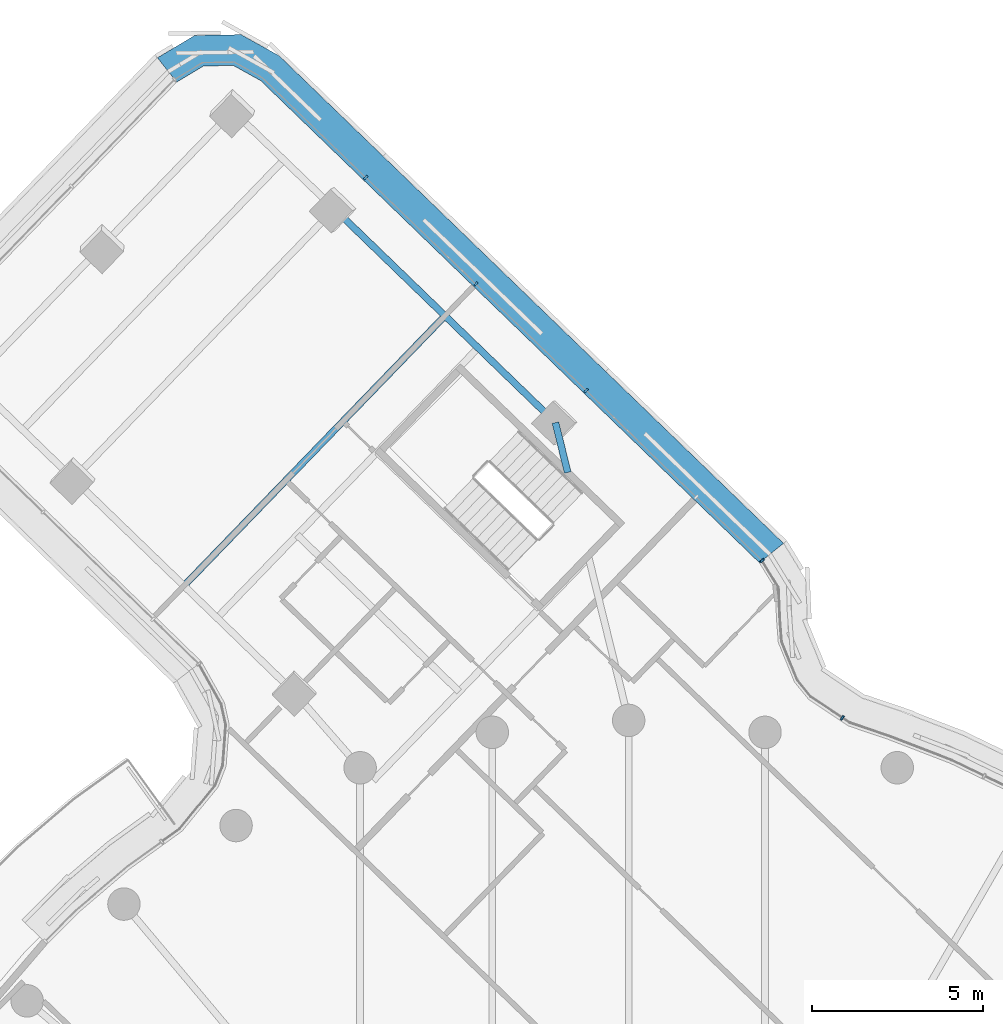
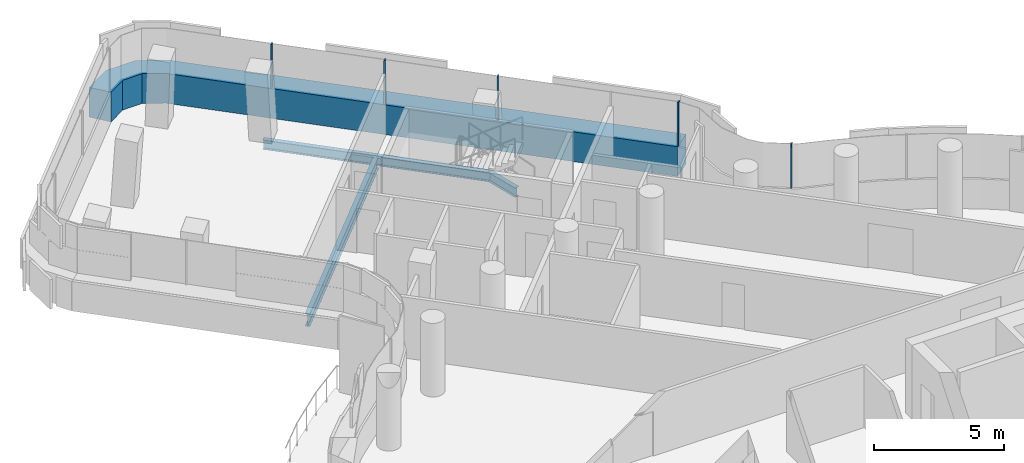
# One storey, part 16 of 31: 6 members, 3 beams, 2 elements without a shape of their own.
"""IFC4 building model written with IfcOpenShell, lengths in metres."""

from ifc_helpers import new_model, si_unit, direction, frame, origin, origin_2d, place, context, subcontext, project, spatial, polyline, rectangle, i_section, outline, extrude, material, layer, layer_set, material_profile, profile_set, type_object, element, aggregate, save


model = new_model("IFC4")

# Units and contexts
model_context = context("Model", 3, precision=1e-05, world=origin(), true_north=direction((0.0, 1.0)))
body_context = subcontext(model_context, "Body", "Model", "MODEL_VIEW")
ifc_project = project(units=[si_unit("LENGTHUNIT", "METRE"), si_unit("AREAUNIT", "SQUARE_METRE"), si_unit("VOLUMEUNIT", "CUBIC_METRE"), si_unit("PLANEANGLEUNIT", "RADIAN"), si_unit("MASSUNIT", "GRAM", prefix="KILO")], contexts=[model_context])

# Site, building, storey
site_placement = place(None, origin())
site = spatial("IfcSite", under=ifc_project, at=site_placement, CompositionType="ELEMENT")
building_placement = place(site_placement, origin())
building = spatial("IfcBuilding", under=site, at=building_placement, Name="Tamarind Cross Interchange Tower", CompositionType="ELEMENT")
storey_placement = place(building_placement, frame((0.0, 0.0, 200.5)))
storey = spatial("IfcBuildingStorey", under=building, at=storey_placement, Name="L50", CompositionType="ELEMENT", Elevation=200.5)

# Beams
ifc_material_1 = material(Name="Steel Q355B", Category="steel")
ifc_material_profile_1 = material_profile(ifc_material_1, i_section(OverallWidth=0.198974609375, OverallDepth=0.446044921875, WebThickness=0.008056640625, FlangeThickness=0.011962890625, FilletRadius=0.012939453125, at=origin_2d()), Name="HN 446x199x8x12")
ifc_profile_set_1 = profile_set([ifc_material_profile_1], Name="Steel Q355B")
beam_type_1 = type_object("IfcBeamType", Name="Composite beam HN 446x199x8x12 Q355B", PredefinedType="BEAM", material=ifc_profile_set_1)
beam_1_placement = place(storey_placement, frame((-8.615966796875, 37.978271484375, -0.363037109375), z_axis=(0.718995153813, -0.695015085299, 0.0), x_axis=(0.695015085299, 0.718995153813, 0.0)))
element("IfcBeam", 1, at=beam_1_placement, inside=storey, type_object=beam_type_1, Name="Beam N-edgeem6", PredefinedType="BEAM", context=body_context, shape_type="SweptSolid", body=[
    extrude(i_section(OverallWidth=0.198974609375, OverallDepth=0.446044921875, WebThickness=0.008056640625, FlangeThickness=0.011962890625, FilletRadius=0.012939453125, at=origin_2d()), origin(), (0.0, 0.0, 1.0), 9.0),
])
beam_2_placement = place(storey_placement, frame((-2.14501953125, 31.72314453125, -0.363037109375), z_axis=(0.238750460158, -0.971080953255, 0.0), x_axis=(0.971080953255, 0.238750460158, 0.0)))
element("IfcBeam", 2, at=beam_2_placement, inside=storey, type_object=beam_type_1, Name="Beam N-linkemt0", PredefinedType="BEAM", context=body_context, shape_type="SweptSolid", body=[
    extrude(i_section(OverallWidth=0.198974609375, OverallDepth=0.446044921875, WebThickness=0.008056640625, FlangeThickness=0.011962890625, FilletRadius=0.012939453125, at=origin_2d()), origin(), (0.0, 0.0, 1.0), 1.503173828125),
])
ifc_material_profile_2 = material_profile(ifc_material_1, i_section(OverallWidth=0.198974609375, OverallDepth=0.595947265625, WebThickness=0.010009765625, FlangeThickness=0.014892578125, FilletRadius=0.012939453125, at=origin_2d()), Name="HN 596x199x10x15")
ifc_profile_set_2 = profile_set([ifc_material_profile_2], Name="Steel Q355B")
beam_type_2 = type_object("IfcBeamType", Name="Composite beam HN 596x199x10x15 Q355B", PredefinedType="BEAM", material=ifc_profile_set_2)
beam_3_placement = place(storey_placement, frame((-5.38037109375, 34.8505859375, -0.43798828125), z_axis=(-0.695031275586, -0.718979503156, 0.0), x_axis=(0.718979503156, -0.695031275586, 0.0)))
element("IfcBeam", 3, at=beam_3_placement, inside=storey, type_object=beam_type_2, Name="Beam N-x348", PredefinedType="BEAM", context=body_context, shape_type="SweptSolid", body=[
    extrude(i_section(OverallWidth=0.198974609375, OverallDepth=0.595947265625, WebThickness=0.010009765625, FlangeThickness=0.014892578125, FilletRadius=0.012939453125, at=origin_2d()), origin(), (0.0, 0.0, 1.0), 11.0),
])

# Curtain wall, member
ifc_material_2 = material(Name="Aluminium 6063-T6", Category="aluminium")
ifc_layer = layer(ifc_material_2, 0.139892578125)
ifc_layer_set = layer_set([ifc_layer], Name="Aluminium 6063-T6")
curtain_wall_type = type_object("IfcCurtainWallType", Name="Hotel curtain wall, 4.5 m bays", PredefinedType="NOTDEFINED", material=ifc_layer_set)
curtain_wall_1_placement = place(storey_placement, origin())
curtain_wall_1 = element("IfcCurtainWall", 4, at=curtain_wall_1_placement, inside=storey, type_object=curtain_wall_type, Name="CWS-L50-07", PredefinedType="NOTDEFINED")
ifc_material_3 = material(Name="Aluminium and insulated spandrel panel", Category="aluminium")
member_type_1 = type_object("IfcMemberType", Name="Floor-edge blade transom", PredefinedType="USERDEFINED", material=ifc_material_3)
member_1_placement = place(storey_placement, origin())
member_1 = element("IfcMember", 5, at=member_1_placement, type_object=member_type_1, Name="CWT-L50-07", ObjectType="TRANSOM", PredefinedType="USERDEFINED", context=body_context, shape_type="SweptSolid", body=[
    extrude(outline(polyline([(3.828857421875, 27.617431640625), (-10.779052734375, 41.73828125), (-11.57958984375, 42.1826171875), (-12.453857421875, 42.167724609375), (-13.23876953125, 41.69677734375), (-13.803466796875, 42.407470703125), (-12.710205078125, 43.0634765625), (-11.353759765625, 43.08642578125), (-10.23876953125, 42.4677734375), (4.536376953125, 28.18505859375), (3.828857421875, 27.617431640625)])), origin(), (0.0, 0.0, 1.0), 1.39990234375),
])

curtain_wall_2_placement = place(storey_placement, origin())
curtain_wall_2 = element("IfcCurtainWall", 6, at=curtain_wall_2_placement, inside=storey, type_object=curtain_wall_type, Name="CWS-L50-06", PredefinedType="NOTDEFINED")
ifc_material_profile_3 = material_profile(ifc_material_2, rectangle(XDim=0.06005859375, YDim=0.139892578125, at=origin_2d()), Name="Mullion CW2")
ifc_profile_set_3 = profile_set([ifc_material_profile_3], Name="Aluminium 6063-T6")
member_type_2 = type_object("IfcMemberType", Name="Mullion CW2", PredefinedType="MULLION", material=ifc_profile_set_3)
member_2_placement = place(storey_placement, frame((6.260009765625, 23.075927734375, 1.39990234375), z_axis=(0.0, 0.0, 1.0), x_axis=(-0.832400058238, 0.554175191655, 0.0)))
member_2 = element("IfcMember", 7, at=member_2_placement, type_object=member_type_2, Name="CWM-L50-06-13", PredefinedType="MULLION", context=body_context, shape_type="SweptSolid", body=[
    extrude(rectangle(XDim=0.06005859375, YDim=0.139892578125, at=origin_2d()), origin(), (0.0, 0.0, 1.0), 2.06005859375),
])
aggregate(curtain_wall_2, [member_2])

# Member
member_3_placement = place(storey_placement, frame((3.907470703125, 27.6806640625, 1.39990234375), z_axis=(0.0, 0.0, 1.0), x_axis=(-0.62565899002, 0.780096678757, 0.0)))
member_3 = element("IfcMember", 8, at=member_3_placement, type_object=member_type_2, Name="CWM-L50-07-00", PredefinedType="MULLION", context=body_context, shape_type="SweptSolid", body=[
    extrude(rectangle(XDim=0.06005859375, YDim=0.139892578125, at=origin_2d()), origin(), (0.0, 0.0, 1.0), 2.06005859375),
])

member_4_placement = place(storey_placement, frame((-1.24658203125, 32.662841796875, 1.39990234375), z_axis=(0.0, 0.0, 1.0), x_axis=(-0.718990536097, 0.695019862308, 0.0)))
member_4 = element("IfcMember", 9, at=member_4_placement, type_object=member_type_2, Name="CWM-L50-07-02", PredefinedType="MULLION", context=body_context, shape_type="SweptSolid", body=[
    extrude(rectangle(XDim=0.06005859375, YDim=0.139892578125, at=origin_2d()), origin(), (0.0, 0.0, 1.0), 2.06005859375),
])

member_5_placement = place(storey_placement, frame((-4.473876953125, 35.782470703125, 1.39990234375), z_axis=(0.0, 0.0, 1.0), x_axis=(-0.718990536097, 0.695019862308, 0.0)))
member_5 = element("IfcMember", 10, at=member_5_placement, type_object=member_type_2, Name="CWM-L50-07-03", PredefinedType="MULLION", context=body_context, shape_type="SweptSolid", body=[
    extrude(rectangle(XDim=0.06005859375, YDim=0.139892578125, at=origin_2d()), origin(), (0.0, 0.0, 1.0), 2.06005859375),
])

member_6_placement = place(storey_placement, frame((-7.701171875, 38.902099609375, 1.39990234375), z_axis=(0.0, 0.0, 1.0), x_axis=(-0.718990536097, 0.695019862308, 0.0)))
member_6 = element("IfcMember", 11, at=member_6_placement, type_object=member_type_2, Name="CWM-L50-07-04", PredefinedType="MULLION", context=body_context, shape_type="SweptSolid", body=[
    extrude(rectangle(XDim=0.06005859375, YDim=0.139892578125, at=origin_2d()), origin(), (0.0, 0.0, 1.0), 2.06005859375),
])

aggregate(curtain_wall_1, [member_3, member_4, member_5, member_6, member_1])

save(model, "model.ifc")
